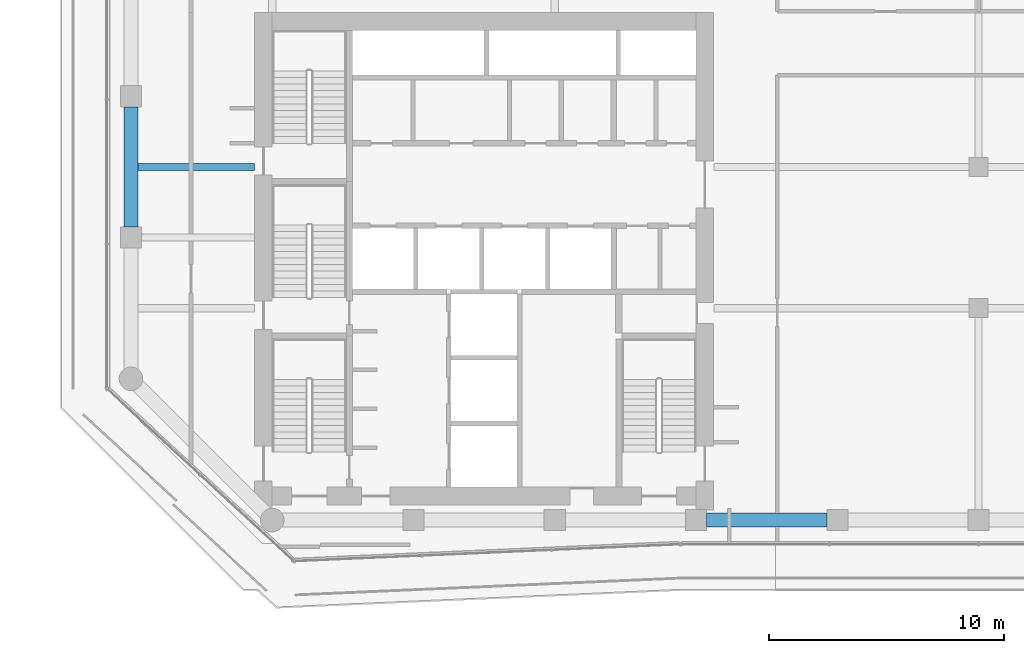
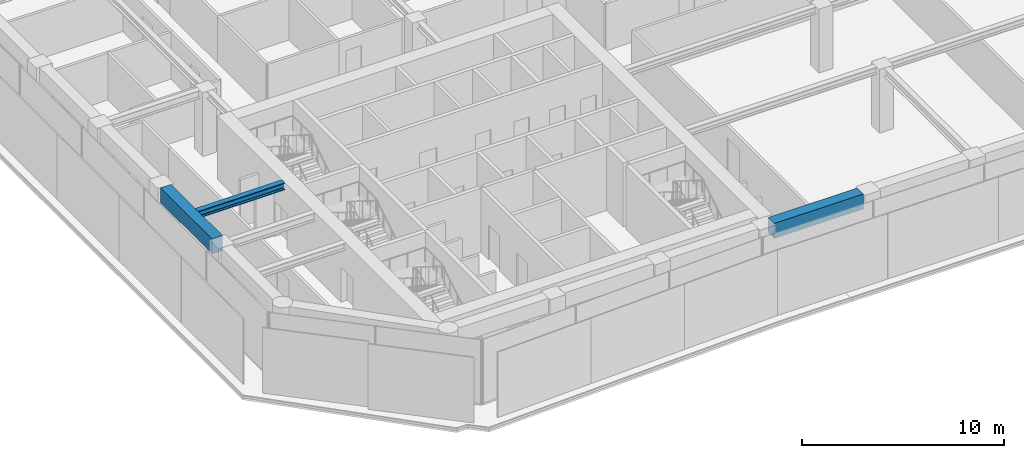
# One storey, part 3 of 24: 3 beams.
"""IFC4 building model written with IfcOpenShell, lengths in metres."""

from ifc_helpers import new_model, si_unit, direction, frame, origin, origin_2d, place, context, subcontext, project, spatial, rectangle, i_section, extrude, material, material_profile, profile_set, type_object, element, save


model = new_model("IFC4")

# Units and contexts
model_context = context("Model", 3, precision=1e-05, world=origin(), true_north=direction((0.0, 1.0)))
body_context = subcontext(model_context, "Body", "Model", "MODEL_VIEW")
ifc_project = project(units=[si_unit("LENGTHUNIT", "METRE"), si_unit("AREAUNIT", "SQUARE_METRE"), si_unit("VOLUMEUNIT", "CUBIC_METRE"), si_unit("PLANEANGLEUNIT", "RADIAN"), si_unit("MASSUNIT", "GRAM", prefix="KILO")], contexts=[model_context])

# Site, building, storey
site_placement = place(None, origin())
site = spatial("IfcSite", under=ifc_project, at=site_placement, CompositionType="ELEMENT")
building_placement = place(site_placement, origin())
building = spatial("IfcBuilding", under=site, at=building_placement, Name="Welwitschia Terrace Campus", CompositionType="ELEMENT")
storey_placement = place(building_placement, frame((0.0, 0.0, 100.39990234375)))
storey = spatial("IfcBuildingStorey", under=building, at=storey_placement, Name="L22", CompositionType="ELEMENT", Elevation=100.39990234375)

# Beams
ifc_material_1 = material(Name="Steel S355", Category="steel")
ifc_material_profile_1 = material_profile(ifc_material_1, i_section(OverallWidth=0.306884765625, OverallDepth=0.431884765625, WebThickness=0.02099609375, FlangeThickness=0.0400390625, FilletRadius=0.027099609375, at=origin_2d()))
ifc_profile_set_1 = profile_set([ifc_material_profile_1], Name="Steel S355")
beam_type_1 = type_object("IfcBeamType", Name="Interior girder HE 400 M", PredefinedType="BEAM", material=ifc_profile_set_1)
beam_placement = place(storey_placement, frame((-0.010009765625, 19.0, 3.634033203125), z_axis=(1.0, 0.0, 0.0), x_axis=(0.0, 1.0, 0.0)))
element("IfcBeam", 1, at=beam_placement, inside=storey, type_object=beam_type_1, Name="Girder GB3", PredefinedType="BEAM", context=body_context, shape_type="SweptSolid", body=[
    extrude(i_section(OverallWidth=0.306884765625, OverallDepth=0.431884765625, WebThickness=0.02099609375, FlangeThickness=0.0400390625, FilletRadius=0.027099609375, at=origin_2d()), origin(), (0.0, 0.0, 1.0), 5.259033203125),
])
ifc_material_2 = material(Name="Concrete C60/75", Category="concrete")
ifc_material_profile_2 = material_profile(ifc_material_2, rectangle(XDim=0.60009765625, YDim=0.89990234375, at=origin_2d()))
ifc_profile_set_2 = profile_set([ifc_material_profile_2], Name="Concrete C60/75")
beam_type_2 = type_object("IfcBeamType", Name="Ring spandrel 600x900", PredefinedType="SPANDREL", material=ifc_profile_set_2)
for number, where, z_axis, x_axis, name in (
    (2, (24.450439453125, 4.0, 3.400146484375), (1.0, 0.0, 0.0), (0.0, 1.0, 0.0), "Spandrel SP2"),
    (3, (0.0, 21.549560546875, 3.400146484375), (0.0, -1.0, 0.0), (1.0, 0.0, 0.0), "Spandrel SP2"),
):
    element("IfcBeam", number, at=place(storey_placement, frame(where, z_axis=z_axis, x_axis=x_axis)), inside=storey, type_object=beam_type_2, Name=name, PredefinedType="SPANDREL", context=body_context, shape_type="SweptSolid", body=[
        extrude(rectangle(XDim=0.60009765625, YDim=0.89990234375, at=origin_2d()), origin(), (0.0, 0.0, 1.0), 5.09912109375),
    ])

save(model, "model.ifc")
